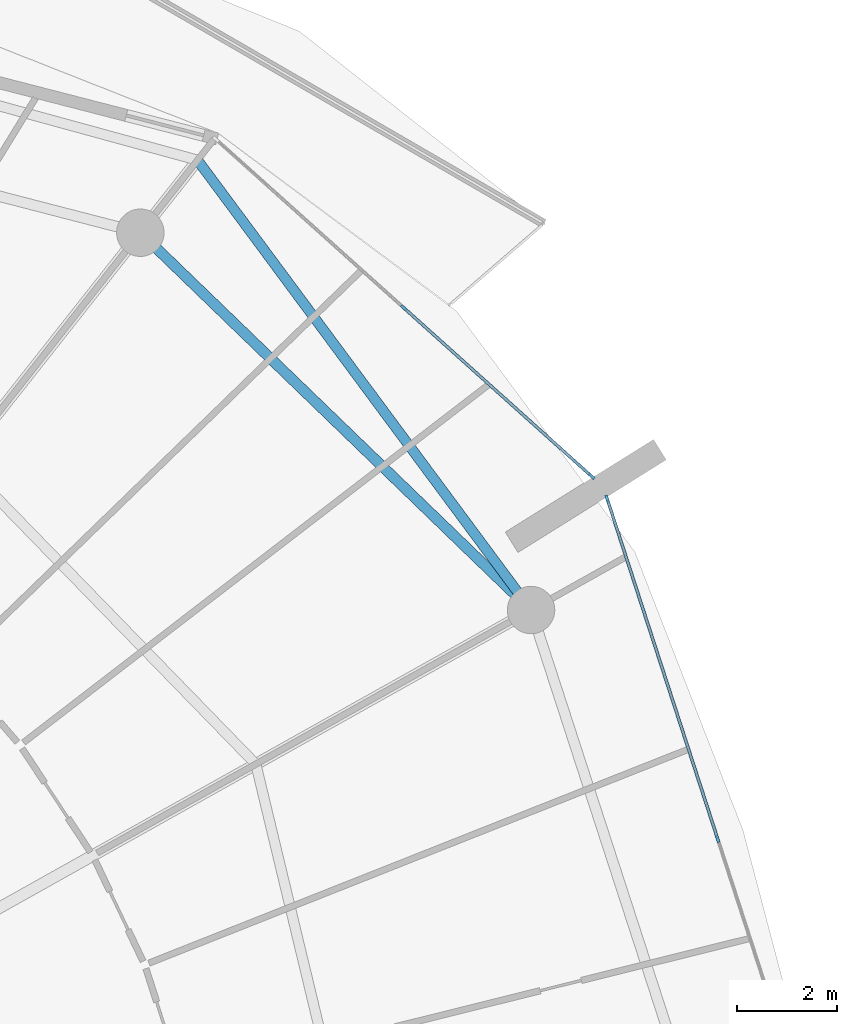
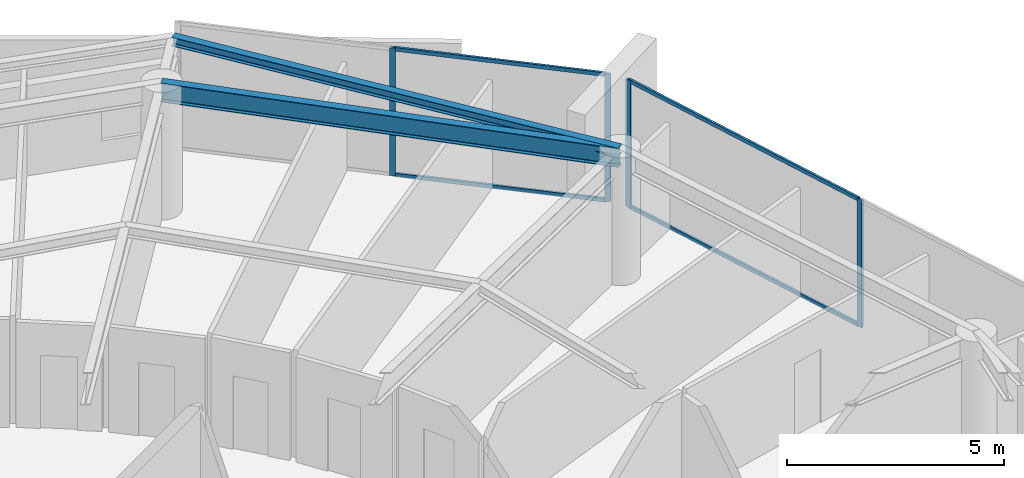
# One storey, part 15 of 31: 8 members, 2 beams, 2 elements without a shape of their own.
"""IFC4 building model written with IfcOpenShell, lengths in metres."""

from ifc_helpers import new_model, si_unit, direction, frame, origin, origin_2d, place, context, subcontext, project, spatial, rectangle, i_section, extrude, material, layer, layer_set, material_profile, profile_set, type_object, element, aggregate, save


model = new_model("IFC4")

# Units and contexts
model_context = context("Model", 3, precision=1e-05, world=origin(), true_north=direction((0.0, 1.0)))
body_context = subcontext(model_context, "Body", "Model", "MODEL_VIEW")
ifc_project = project(units=[si_unit("LENGTHUNIT", "METRE"), si_unit("AREAUNIT", "SQUARE_METRE"), si_unit("VOLUMEUNIT", "CUBIC_METRE"), si_unit("PLANEANGLEUNIT", "RADIAN"), si_unit("MASSUNIT", "GRAM", prefix="KILO")], contexts=[model_context])

# Site, building, storey
site_placement = place(None, origin())
site = spatial("IfcSite", under=ifc_project, at=site_placement, CompositionType="ELEMENT")
building_placement = place(site_placement, origin())
building = spatial("IfcBuilding", under=site, at=building_placement, Name="Kazma Halo Residences", CompositionType="ELEMENT")
storey_placement = place(building_placement, frame((0.0, 0.0, 259.800048828125)))
storey = spatial("IfcBuildingStorey", under=building, at=storey_placement, Name="L65", CompositionType="ELEMENT", Elevation=259.800048828125)

# Beams
ifc_material_1 = material(Name="Steel S355", Category="steel")
ifc_material_profile_1 = material_profile(ifc_material_1, i_section(OverallWidth=0.201904296875, OverallDepth=0.2470703125, WebThickness=0.00732421875, FlangeThickness=0.010986328125, FilletRadius=0.011962890625, at=origin_2d()), Name="W250x49.1")
ifc_profile_set_1 = profile_set([ifc_material_profile_1], Name="Steel S355")
beam_type_1 = type_object("IfcBeamType", Name="BM-BAL-CANT", PredefinedType="BEAM", material=ifc_profile_set_1)
beam_1_placement = place(storey_placement, frame((72.67041015625, 55.81591796875, 3.466552734375), z_axis=(-0.595556062515, 0.803313747176, 0.0), x_axis=(-0.803313747176, -0.595556062515, 0.0)))
element("IfcBeam", 1, at=beam_1_placement, inside=storey, type_object=beam_type_1, Name="L65 wave-balcony lead tie beam 01", PredefinedType="BEAM", context=body_context, shape_type="SweptSolid", body=[
    extrude(i_section(OverallWidth=0.201904296875, OverallDepth=0.2470703125, WebThickness=0.00732421875, FlangeThickness=0.010986328125, FilletRadius=0.011962890625, at=origin_2d()), origin(), (0.0, 0.0, 1.0), 11.213134765625),
])
ifc_material_profile_2 = material_profile(ifc_material_1, i_section(OverallWidth=0.208984375, OverallDepth=0.532958984375, WebThickness=0.01025390625, FlangeThickness=0.015625, FilletRadius=0.01611328125, at=origin_2d()), Name="W530x92")
ifc_profile_set_2 = profile_set([ifc_material_profile_2], Name="Steel S355")
beam_type_2 = type_object("IfcBeamType", Name="BM-SPN-W530", PredefinedType="BEAM", material=ifc_profile_set_2)
beam_2_placement = place(storey_placement, frame((72.67041015625, 55.81591796875, 3.323486328125), z_axis=(-0.719345757929, 0.694652201141, 0.0), x_axis=(-0.694652201141, -0.719345757929, 0.0)))
element("IfcBeam", 2, at=beam_2_placement, inside=storey, type_object=beam_type_2, Name="L65 perimeter ring beam 01", PredefinedType="BEAM", context=body_context, shape_type="SweptSolid", body=[
    extrude(i_section(OverallWidth=0.208984375, OverallDepth=0.532958984375, WebThickness=0.01025390625, FlangeThickness=0.015625, FilletRadius=0.01611328125, at=origin_2d()), origin(), (0.0, 0.0, 1.0), 10.87548828125),
])

# Curtain wall, members
ifc_material_2 = material(Name="Aluminium AW-6063 T6 and Triple-Silver Low-E Glass", Category="aluminium")
ifc_layer = layer(ifc_material_2, 0.139892578125)
ifc_layer_set = layer_set([ifc_layer], Name="Aluminium AW-6063 T6 and Triple-Silver Low-E Glass")
curtain_wall_type = type_object("IfcCurtainWallType", Name="CW-SYS-5", PredefinedType="NOTDEFINED", material=ifc_layer_set)
curtain_wall_1_placement = place(storey_placement, origin())
curtain_wall_1 = element("IfcCurtainWall", 3, at=curtain_wall_1_placement, inside=storey, type_object=curtain_wall_type, Name="L65 unitised curtain wall B01", PredefinedType="NOTDEFINED")
ifc_material_3 = material(Name="Aluminium AW-6063 T6", Category="aluminium")
ifc_material_profile_3 = material_profile(ifc_material_3, rectangle(XDim=0.06005859375, YDim=0.139892578125, at=origin_2d()), Name="CWM-60x140")
ifc_profile_set_3 = profile_set([ifc_material_profile_3], Name="Aluminium AW-6063 T6")
member_type_1 = type_object("IfcMemberType", Name="CW-SYS-5-MUL", PredefinedType="MULLION", material=ifc_profile_set_3)
member_1_placement = place(storey_placement, frame((73.88330078125, 58.491943359375, 0.0), z_axis=(0.0, 0.0, 1.0), x_axis=(-0.667804826958, -0.744336424671, 0.0)))
member_1 = element("IfcMember", 4, at=member_1_placement, type_object=member_type_1, Name="CWS-5 mullion 1", PredefinedType="MULLION", context=body_context, shape_type="SweptSolid", body=[
    extrude(rectangle(XDim=0.06005859375, YDim=0.139892578125, at=origin_2d()), origin(), (0.0, 0.0, 1.0), 3.58984375),
])
member_2_placement = place(storey_placement, frame((70.121826171875, 61.86669921875, 0.0), z_axis=(0.0, 0.0, 1.0), x_axis=(-0.667804826958, -0.744336424671, 0.0)))
member_2 = element("IfcMember", 5, at=member_2_placement, type_object=member_type_1, Name="CWS-5 mullion 2", PredefinedType="MULLION", context=body_context, shape_type="SweptSolid", body=[
    extrude(rectangle(XDim=0.06005859375, YDim=0.139892578125, at=origin_2d()), origin(), (0.0, 0.0, 1.0), 3.58984375),
])

curtain_wall_2_placement = place(storey_placement, origin())
curtain_wall_2 = element("IfcCurtainWall", 6, at=curtain_wall_2_placement, inside=storey, type_object=curtain_wall_type, Name="L65 unitised curtain wall B16", PredefinedType="NOTDEFINED")
member_3_placement = place(storey_placement, frame((76.40771484375, 51.230224609375, 0.0), z_axis=(0.0, 0.0, 1.0), x_axis=(-0.951058464359, -0.309010998786, 0.0)))
member_3 = element("IfcMember", 7, at=member_3_placement, type_object=member_type_1, Name="CWS-5 mullion 2", PredefinedType="MULLION", context=body_context, shape_type="SweptSolid", body=[
    extrude(rectangle(XDim=0.06005859375, YDim=0.139892578125, at=origin_2d()), origin(), (0.0, 0.0, 1.0), 3.58984375),
])
member_4_placement = place(storey_placement, frame((74.1923828125, 58.0478515625, 0.0), z_axis=(0.0, 0.0, 1.0), x_axis=(-0.951058464359, -0.309010998786, 0.0)))
member_4 = element("IfcMember", 8, at=member_4_placement, type_object=member_type_1, Name="CWS-5 mullion 3", PredefinedType="MULLION", context=body_context, shape_type="SweptSolid", body=[
    extrude(rectangle(XDim=0.06005859375, YDim=0.139892578125, at=origin_2d()), origin(), (0.0, 0.0, 1.0), 3.58984375),
])

# Member
ifc_material_profile_4 = material_profile(ifc_material_3, rectangle(XDim=0.06005859375, YDim=0.10498046875, at=origin_2d()), Name="CWT-60x105")
ifc_profile_set_4 = profile_set([ifc_material_profile_4], Name="Aluminium AW-6063 T6")
member_type_2 = type_object("IfcMemberType", Name="CW-SYS-5-TRN", PredefinedType="USERDEFINED", material=ifc_profile_set_4)
member_5_placement = place(storey_placement, frame((73.861083984375, 58.511962890625, 0.030029296875), z_axis=(-0.744328897483, 0.667813216679, 0.0), x_axis=(-0.667813216679, -0.744328897483, 0.0)))
member_5 = element("IfcMember", 9, at=member_5_placement, type_object=member_type_2, Name="CWS-5 transom 1.1", ObjectType="TRANSOM", PredefinedType="USERDEFINED", context=body_context, shape_type="SweptSolid", body=[
    extrude(rectangle(XDim=0.06005859375, YDim=0.10498046875, at=origin_2d()), origin(), (0.0, 0.0, 1.0), 4.993408203125),
])

member_6_placement = place(storey_placement, frame((73.861083984375, 58.511962890625, 3.56005859375), z_axis=(-0.744328897483, 0.667813216679, 0.0), x_axis=(-0.667813216679, -0.744328897483, 0.0)))
member_6 = element("IfcMember", 10, at=member_6_placement, type_object=member_type_2, Name="CWS-5 transom 1.2", ObjectType="TRANSOM", PredefinedType="USERDEFINED", context=body_context, shape_type="SweptSolid", body=[
    extrude(rectangle(XDim=0.06005859375, YDim=0.10498046875, at=origin_2d()), origin(), (0.0, 0.0, 1.0), 4.993408203125),
])

aggregate(curtain_wall_1, [member_1, member_2, member_5, member_6])

member_7_placement = place(storey_placement, frame((76.3984375, 51.2587890625, 0.030029296875), z_axis=(-0.309027052142, 0.95105324827, 0.0), x_axis=(-0.95105324827, -0.309027052142, 0.0)))
member_7 = element("IfcMember", 11, at=member_7_placement, type_object=member_type_2, Name="CWS-5 transom 2.1", ObjectType="TRANSOM", PredefinedType="USERDEFINED", context=body_context, shape_type="SweptSolid", body=[
    extrude(rectangle(XDim=0.06005859375, YDim=0.10498046875, at=origin_2d()), origin(), (0.0, 0.0, 1.0), 7.108642578125),
])

member_8_placement = place(storey_placement, frame((76.3984375, 51.2587890625, 3.56005859375), z_axis=(-0.309027052142, 0.95105324827, 0.0), x_axis=(-0.95105324827, -0.309027052142, 0.0)))
member_8 = element("IfcMember", 12, at=member_8_placement, type_object=member_type_2, Name="CWS-5 transom 2.2", ObjectType="TRANSOM", PredefinedType="USERDEFINED", context=body_context, shape_type="SweptSolid", body=[
    extrude(rectangle(XDim=0.06005859375, YDim=0.10498046875, at=origin_2d()), origin(), (0.0, 0.0, 1.0), 7.108642578125),
])

aggregate(curtain_wall_2, [member_3, member_4, member_7, member_8])

save(model, "model.ifc")
